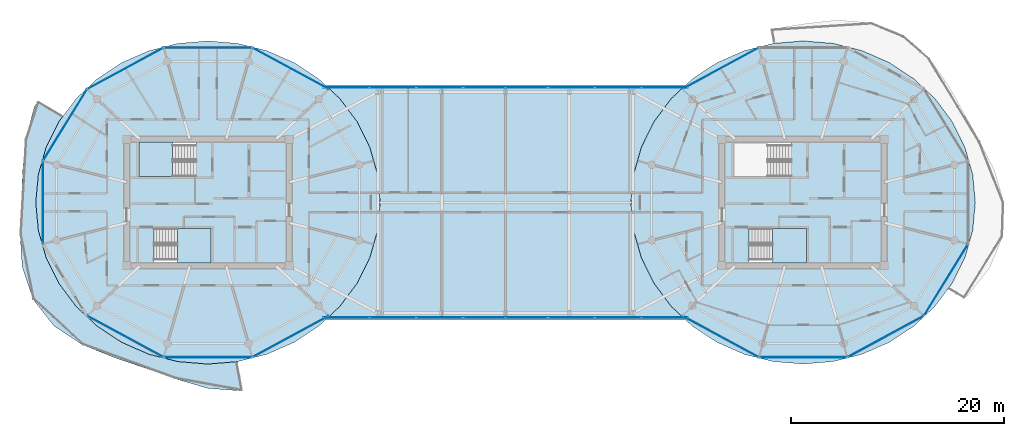
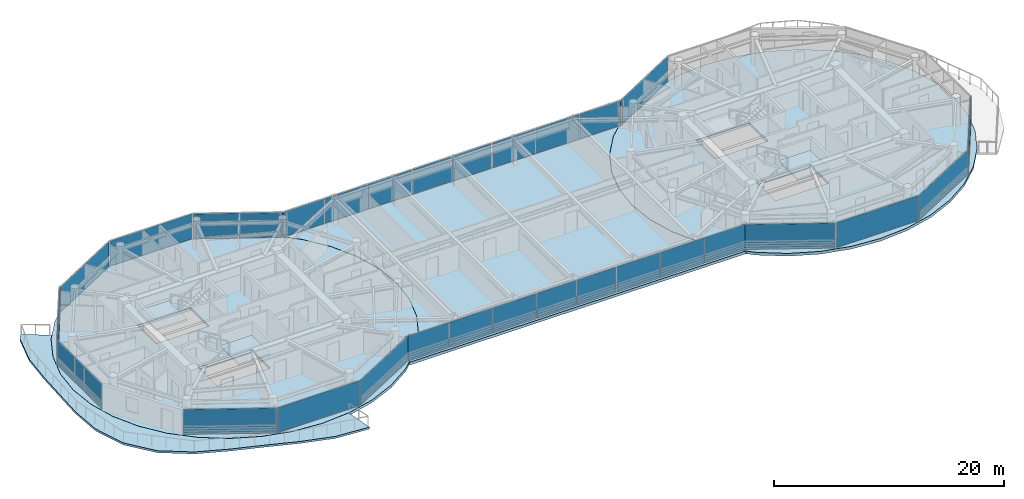
# One storey, part 11 of 23: 29 plates, 7 slabs, 22 elements without a shape of their own.
"""IFC4 building model written with IfcOpenShell, lengths in metres."""

import ifcopenshell
import ifcopenshell.guid

model = None  # the IFC model being written
_history = None  # IfcOwnerHistory: only IFC2X3 demands one
_inside = {}  # id of a spatial element -> (the spatial element, [elements in it])
_under = {}  # id of a project, library or spatial element -> (it, [spatial elements below it])
_declared = {}  # id of a project -> (the project, [libraries it declares])
_typed = {}  # id of a type object -> (the type object, [elements of that type])
_made_of = {}  # id of a material, layer set ... -> (it, [elements and type objects made of it])


def new_model(schema):
    """Start an empty IFC model of exactly this schema.

    Asked for "IFC4X3", IfcOpenShell would pick the latest addendum, in which some entities
    have other attributes; the version numbers below select the first issue.
    IFC2X3 requires an IfcOwnerHistory on every rooted entity: one is made here for all.
    """
    global model, _history
    if schema == "IFC4X3":
        model = ifcopenshell.file(schema_version=(4, 3, 0, 0))
    else:
        model = ifcopenshell.file(schema=schema)
    _inside.clear()
    _under.clear()
    _declared.clear()
    _typed.clear()
    _made_of.clear()
    _history = None
    if model.schema == "IFC2X3":
        org = make("IfcOrganization", Name="unknown")
        user = make(
            "IfcPersonAndOrganization",
            ThePerson=make("IfcPerson", FamilyName="unknown"),
            TheOrganization=org,
        )
        app = make(
            "IfcApplication",
            ApplicationDeveloper=org,
            Version="unknown",
            ApplicationFullName="unknown",
            ApplicationIdentifier="unknown",
        )
        _history = make(
            "IfcOwnerHistory",
            OwningUser=user,
            OwningApplication=app,
            ChangeAction="ADDED",
            CreationDate=0,
        )
    return model


def make(cls, **values):
    """One entity of the class cls with the attributes given. An attribute that is None is left unset."""
    return model.create_entity(
        cls, **{name: value for name, value in values.items() if value is not None}
    )


def rooted(cls, **values):
    """An entity with a GlobalId (a new one), such as an element, a storey or a relation."""
    return make(cls, GlobalId=ifcopenshell.guid.new(), OwnerHistory=_history, **values)


def si_unit(unit_type, name, prefix=None):
    """IfcSIUnit, for example si_unit("LENGTHUNIT", "METRE", prefix="MILLI")."""
    return make("IfcSIUnit", UnitType=unit_type, Prefix=prefix, Name=name)


def assignment(units):
    """IfcUnitAssignment: the units of a project."""
    return None if units is None else make("IfcUnitAssignment", Units=units)


def point(xyz):
    """IfcCartesianPoint."""
    return None if xyz is None else make("IfcCartesianPoint", Coordinates=xyz)


def direction(xyz):
    """IfcDirection."""
    return None if xyz is None else make("IfcDirection", DirectionRatios=xyz)


def frame(location, z_axis=None, x_axis=None):
    """IfcAxis2Placement3D, a coordinate frame: its origin and axes. An axis left out is left unset."""
    return make(
        "IfcAxis2Placement3D",
        Location=point(location),
        Axis=direction(z_axis),
        RefDirection=direction(x_axis),
    )


def frame_2d(location, x_axis=None):
    """IfcAxis2Placement2D, a coordinate frame in the plane: its origin and x axis."""
    return make(
        "IfcAxis2Placement2D", Location=point(location), RefDirection=direction(x_axis)
    )


def origin():
    """The frame at (0, 0, 0) with its axes left unset."""
    return frame((0.0, 0.0, 0.0))


def origin_2d():
    """The frame at (0, 0) in the plane with its x axis left unset."""
    return frame_2d((0.0, 0.0))


def place(relative_to, where):
    """IfcLocalPlacement: puts the frame where relative to a parent placement (None: the world)."""
    return make(
        "IfcLocalPlacement", PlacementRelTo=relative_to, RelativePlacement=where
    )


def context(
    kind, dimensions, precision=None, world=None, true_north=None, identifier=None
):
    """IfcGeometricRepresentationContext, for example the 3D "Model" context."""
    return make(
        "IfcGeometricRepresentationContext",
        ContextIdentifier=identifier,
        ContextType=kind,
        CoordinateSpaceDimension=dimensions,
        Precision=precision,
        WorldCoordinateSystem=world,
        TrueNorth=true_north,
    )


def subcontext(parent, identifier, kind, view, scale=None):
    """IfcGeometricRepresentationSubContext, for example "Body" below "Model"."""
    return make(
        "IfcGeometricRepresentationSubContext",
        ContextIdentifier=identifier,
        ContextType=kind,
        ParentContext=parent,
        TargetScale=scale,
        TargetView=view,
    )


def project(units=None, contexts=None):
    """IfcProject with its units and contexts."""
    return rooted(
        "IfcProject",
        Name="project",
        RepresentationContexts=contexts,
        UnitsInContext=assignment(units),
    )


def spatial(cls, under=None, at=None, **own):
    """A site, building, storey or space (cls), placed at a placement, below another one or the project."""
    s = rooted(cls, ObjectPlacement=at, **own)
    if under is not None:
        _under.setdefault(under.id(), (under, []))[1].append(s)
    return s


def polyline(points):
    """IfcPolyline through the points."""
    return make("IfcPolyline", Points=[point(p) for p in points])


def profile(cls, at=None, kind="AREA", **sizes):
    """A parametric profile (cls). Its sizes go by their IFC names, for example OverallWidth=200.0."""
    return make(cls, ProfileType=kind, Position=at, **sizes)


def rectangle(**sizes):
    """IfcRectangleProfileDef."""
    return profile("IfcRectangleProfileDef", **sizes)


def outline(outer, holes=None, kind="AREA"):
    """IfcArbitraryClosedProfileDef: a profile drawn as a closed curve; with holes, ...WithVoids."""
    if holes is None:
        return make("IfcArbitraryClosedProfileDef", ProfileType=kind, OuterCurve=outer)
    return make(
        "IfcArbitraryProfileDefWithVoids",
        ProfileType=kind,
        OuterCurve=outer,
        InnerCurves=holes,
    )


def extrude(swept, where, along, depth):
    """IfcExtrudedAreaSolid: the profile swept, set in the frame where, extruded along a direction by depth."""
    return make(
        "IfcExtrudedAreaSolid",
        SweptArea=swept,
        Position=where,
        ExtrudedDirection=direction(along),
        Depth=depth,
    )


def shape(context_of_items, identifier, shape_type, items):
    """IfcShapeRepresentation: the items that make up one representation, for example the "Body"."""
    return make(
        "IfcShapeRepresentation",
        ContextOfItems=context_of_items,
        RepresentationIdentifier=identifier,
        RepresentationType=shape_type,
        Items=items,
    )


def source(mapping_origin, context_of_items, identifier, shape_type, items):
    """IfcRepresentationMap: a shape defined once, which mapped items show again and again."""
    return make(
        "IfcRepresentationMap",
        MappingOrigin=mapping_origin,
        MappedRepresentation=shape(context_of_items, identifier, shape_type, items),
    )


def transform(
    local_origin,
    x_axis=None,
    y_axis=None,
    z_axis=None,
    scale=None,
    scale2=None,
    scale3=None,
    uniform=True,
):
    """IfcCartesianTransformationOperator3D, or its non-uniform kind. x_axis, y_axis, z_axis: its Axis1, 2, 3."""
    if uniform:
        return make(
            "IfcCartesianTransformationOperator3D",
            Axis1=direction(x_axis),
            Axis2=direction(y_axis),
            LocalOrigin=point(local_origin),
            Scale=scale,
            Axis3=direction(z_axis),
        )
    return make(
        "IfcCartesianTransformationOperator3DnonUniform",
        Axis1=direction(x_axis),
        Axis2=direction(y_axis),
        LocalOrigin=point(local_origin),
        Scale=scale,
        Axis3=direction(z_axis),
        Scale2=scale2,
        Scale3=scale3,
    )


def mapped(mapping_source, mapping_target):
    """IfcMappedItem: shows the shape of a source again, moved by a transform."""
    return make(
        "IfcMappedItem", MappingSource=mapping_source, MappingTarget=mapping_target
    )


def material(Name=None, Category=None):
    """IfcMaterial."""
    return make("IfcMaterial", Name=Name, Category=Category)


def layer(
    of_material, thickness, ventilated=None, Name=None, Category=None, Priority=None
):
    """IfcMaterialLayer: one layer of a wall or slab, of a material (None: an air gap)."""
    return make(
        "IfcMaterialLayer",
        Material=of_material,
        LayerThickness=thickness,
        IsVentilated=ventilated,
        Name=Name,
        Category=Category,
        Priority=Priority,
    )


def layer_set(layers, Name=None):
    """IfcMaterialLayerSet."""
    return make("IfcMaterialLayerSet", MaterialLayers=layers, LayerSetName=Name)


def made_of(thing, what):
    """Note that an element or type object is made of a material, layer set ...; save() writes the relation."""
    if what is not None:
        _made_of.setdefault(what.id(), (what, []))[1].append(thing)
    return thing


def type_object(cls, material=None, **own):
    """A type object (cls), such as IfcWallType, which elements share."""
    return made_of(rooted(cls, **own), material)


def type_shapes(of_type, sources):
    """Give a type object the sources (RepresentationMaps) that its elements show as mapped items."""
    of_type.RepresentationMaps = sources


def element(
    cls,
    number,
    at=None,
    inside=None,
    cuts=None,
    type_object=None,
    material=None,
    context=None,
    identifier="Body",
    shape_type=None,
    held_by="IfcProductDefinitionShape",
    body=None,
    shapes=None,
    **own,
):
    """One element of the class cls, such as IfcWall. Its Tag is "e" and its number.

    at: its placement. inside: the storey or other place that contains it. cuts: it is an
    opening in that element (IfcRelVoidsElement). A single representation is given by context,
    identifier, shape_type and body (its items); several are given by shapes. held_by: the class
    of the entity that holds the representations. save() writes the other relations.
    """
    e = rooted(cls, Tag="e%d" % number, ObjectPlacement=at, **own)
    if body is not None:
        shapes = [shape(context, identifier, shape_type, body)]
    if shapes is not None:
        e.Representation = make(held_by, Representations=shapes)
    if inside is not None:
        _inside.setdefault(inside.id(), (inside, []))[1].append(e)
    if cuts is not None:
        rooted(
            "IfcRelVoidsElement", RelatingBuildingElement=cuts, RelatedOpeningElement=e
        )
    if type_object is not None:
        _typed.setdefault(type_object.id(), (type_object, []))[1].append(e)
    return made_of(e, material)


def aggregate(whole, parts):
    """IfcRelAggregates: a whole, such as a stair, and the parts it consists of."""
    return rooted("IfcRelAggregates", RelatingObject=whole, RelatedObjects=parts)


def save(model, path):
    """Write the relations noted so far, then the file.

    IfcRelAggregates (storeys below a building ...), IfcRelContainedInSpatialStructure (elements
    in a storey), IfcRelDefinesByType, IfcRelAssociatesMaterial and IfcRelDeclares: one each for
    every whole, place, type object, material and project.
    """
    for whole, parts in _under.values():
        aggregate(whole, parts)
    for where, things in _inside.values():
        rooted(
            "IfcRelContainedInSpatialStructure",
            RelatedElements=things,
            RelatingStructure=where,
        )
    for kind, things in _typed.values():
        rooted("IfcRelDefinesByType", RelatedObjects=things, RelatingType=kind)
    for what, things in _made_of.values():
        rooted("IfcRelAssociatesMaterial", RelatedObjects=things, RelatingMaterial=what)
    for by, libraries in _declared.values():
        rooted("IfcRelDeclares", RelatingContext=by, RelatedDefinitions=libraries)
    model.write(path)


model = new_model("IFC4")

# Units and contexts
model_context = context("Model", 3, precision=1e-05, world=origin(), true_north=direction((0.0, 1.0)))
body_context = subcontext(model_context, "Body", "Model", "MODEL_VIEW")
ifc_project = project(units=[si_unit("LENGTHUNIT", "METRE"), si_unit("AREAUNIT", "SQUARE_METRE"), si_unit("VOLUMEUNIT", "CUBIC_METRE"), si_unit("PLANEANGLEUNIT", "RADIAN"), si_unit("MASSUNIT", "GRAM", prefix="KILO")], contexts=[model_context])

# Site, building, storey
site_placement = place(None, origin())
site = spatial("IfcSite", under=ifc_project, at=site_placement, CompositionType="ELEMENT")
building_placement = place(site_placement, origin())
building = spatial("IfcBuilding", under=site, at=building_placement, Name="Norrkilde Senior Care Towers", CompositionType="ELEMENT")
storey_placement = place(building_placement, frame((0.0, 0.0, 216.949951171875)))
storey = spatial("IfcBuildingStorey", under=building, at=storey_placement, Name="L67", CompositionType="ELEMENT", Elevation=216.949951171875)

# Slabs
ifc_material_1 = material(Name="Concrete C50/60", Category="concrete")
ifc_layer_1 = layer(ifc_material_1, 0.2900390625)
ifc_layer_set_1 = layer_set([ifc_layer_1], Name="Concrete C50/60")
slab_type_1 = type_object("IfcSlabType", Name="Bridge Floor Slab 290", PredefinedType="FLOOR", material=ifc_layer_set_1)
slab_1_placement = place(storey_placement, frame((0.0, 0.0, -0.2900390625)))
element("IfcSlab", 1, at=slab_1_placement, inside=storey, type_object=slab_type_1, Name="L67 Drum W Structural Floor Slab", PredefinedType="FLOOR", context=body_context, shape_type="SweptSolid", body=[
    extrude(outline(polyline([(-12.777099609375, -5.19873046875), (-13.970458984375, -7.60009765625), (-15.590087890625, -9.770263671875), (-17.5869140625, -11.643798828125), (-19.89990234375, -13.16357421875), (-22.459228515625, -14.283447265625), (-25.18701171875, -14.968994140625), (-28.0, -15.199951171875), (-30.81298828125, -14.968994140625), (-33.540771484375, -14.283447265625), (-36.10009765625, -13.16357421875), (-38.4130859375, -11.643798828125), (-40.409912109375, -9.770263671875), (-42.029541015625, -7.60009765625), (-43.222900390625, -5.19873046875), (-43.953857421875, -2.639404296875), (-44.199951171875, 0.0), (-43.953857421875, 2.639404296875), (-43.222900390625, 5.19873046875), (-42.029541015625, 7.60009765625), (-40.409912109375, 9.770263671875), (-38.4130859375, 11.643798828125), (-36.10009765625, 13.16357421875), (-33.540771484375, 14.283447265625), (-30.81298828125, 14.968994140625), (-28.0, 15.199951171875), (-25.18701171875, 14.968994140625), (-22.459228515625, 14.283447265625), (-19.89990234375, 13.16357421875), (-17.5869140625, 11.643798828125), (-15.590087890625, 9.770263671875), (-13.970458984375, 7.60009765625), (-12.777099609375, 5.19873046875), (-12.046142578125, 2.639404296875), (-11.800048828125, 0.0), (-12.046142578125, -2.639404296875), (-12.777099609375, -5.19873046875)]), holes=[polyline([(-34.48193359375, 2.468017578125), (-29.117919921875, 2.468017578125), (-29.117919921875, 5.68994140625), (-34.48193359375, 5.68994140625), (-34.48193359375, 2.468017578125)]), polyline([(-27.718017578125, -5.68994140625), (-27.718017578125, -2.468017578125), (-33.08203125, -2.468017578125), (-33.08203125, -5.68994140625), (-27.718017578125, -5.68994140625)])]), origin(), (0.0, 0.0, 1.0), 0.2900390625),
])
slab_2_placement = place(storey_placement, frame((0.0, 0.0, -0.2900390625)))
element("IfcSlab", 2, at=slab_2_placement, inside=storey, type_object=slab_type_1, Name="L67 Drum E Structural Floor Slab", PredefinedType="FLOOR", context=body_context, shape_type="SweptSolid", body=[
    extrude(outline(polyline([(43.222900390625, -5.19873046875), (42.029541015625, -7.60009765625), (40.409912109375, -9.770263671875), (38.4130859375, -11.643798828125), (36.10009765625, -13.16357421875), (33.540771484375, -14.283447265625), (30.81298828125, -14.968994140625), (28.0, -15.199951171875), (25.18701171875, -14.968994140625), (22.459228515625, -14.283447265625), (19.89990234375, -13.16357421875), (17.5869140625, -11.643798828125), (15.590087890625, -9.770263671875), (13.970458984375, -7.60009765625), (12.777099609375, -5.19873046875), (12.046142578125, -2.639404296875), (11.800048828125, 0.0), (12.046142578125, 2.639404296875), (12.777099609375, 5.19873046875), (13.970458984375, 7.60009765625), (15.590087890625, 9.770263671875), (17.5869140625, 11.643798828125), (19.89990234375, 13.16357421875), (22.459228515625, 14.283447265625), (25.18701171875, 14.968994140625), (28.0, 15.199951171875), (30.81298828125, 14.968994140625), (33.540771484375, 14.283447265625), (36.10009765625, 13.16357421875), (38.4130859375, 11.643798828125), (40.409912109375, 9.770263671875), (42.029541015625, 7.60009765625), (43.222900390625, 5.19873046875), (43.953857421875, 2.639404296875), (44.199951171875, 0.0), (43.953857421875, -2.639404296875), (43.222900390625, -5.19873046875)]), holes=[polyline([(21.51806640625, 2.468017578125), (26.882080078125, 2.468017578125), (26.882080078125, 5.68994140625), (21.51806640625, 5.68994140625), (21.51806640625, 2.468017578125)]), polyline([(28.281982421875, -5.68994140625), (28.281982421875, -2.468017578125), (22.91796875, -2.468017578125), (22.91796875, -5.68994140625), (28.281982421875, -5.68994140625)])]), origin(), (0.0, 0.0, 1.0), 0.2900390625),
])
slab_3_placement = place(storey_placement, frame((0.0, 0.0, -0.2900390625)))
element("IfcSlab", 3, at=slab_3_placement, inside=storey, type_object=slab_type_1, Name="L67 Sky-Gate Bridge Floor Slab", PredefinedType="FLOOR", context=body_context, shape_type="SweptSolid", body=[
    extrude(outline(polyline([(16.893310546875, 11.0), (15.586669921875, 9.77392578125), (15.58642578125, 9.773681640625), (15.586181640625, 9.7734375), (13.96630859375, 7.60302734375), (13.966064453125, 7.6025390625), (13.9658203125, 7.602294921875), (12.7724609375, 5.200927734375), (12.772216796875, 5.200439453125), (12.772216796875, 5.2001953125), (12.041259765625, 2.640869140625), (12.041259765625, 2.640380859375), (12.041015625, 2.639892578125), (11.794921875, 0.00048828125), (11.794921875, 0.0), (11.794921875, -0.00048828125), (12.041015625, -2.639892578125), (12.041259765625, -2.640380859375), (12.041259765625, -2.640869140625), (12.772216796875, -5.2001953125), (12.772216796875, -5.200439453125), (12.7724609375, -5.200927734375), (13.9658203125, -7.602294921875), (13.966064453125, -7.6025390625), (13.96630859375, -7.60302734375), (15.586181640625, -9.7734375), (15.58642578125, -9.773681640625), (15.586669921875, -9.77392578125), (16.893310546875, -11.0), (-16.893310546875, -11.0), (-15.586669921875, -9.77392578125), (-15.58642578125, -9.773681640625), (-15.586181640625, -9.7734375), (-13.96630859375, -7.60302734375), (-13.966064453125, -7.6025390625), (-13.9658203125, -7.602294921875), (-12.7724609375, -5.200927734375), (-12.772216796875, -5.200439453125), (-12.772216796875, -5.2001953125), (-12.041259765625, -2.640869140625), (-12.041259765625, -2.640380859375), (-12.041015625, -2.639892578125), (-11.794921875, -0.00048828125), (-11.794921875, 0.0), (-11.794921875, 0.00048828125), (-12.041015625, 2.639892578125), (-12.041259765625, 2.640380859375), (-12.041259765625, 2.640869140625), (-12.772216796875, 5.2001953125), (-12.772216796875, 5.200439453125), (-12.7724609375, 5.200927734375), (-13.9658203125, 7.602294921875), (-13.966064453125, 7.6025390625), (-13.96630859375, 7.60302734375), (-15.586181640625, 9.7734375), (-15.58642578125, 9.773681640625), (-15.586669921875, 9.77392578125), (-16.893310546875, 11.0), (16.893310546875, 11.0)])), origin(), (0.0, 0.0, 1.0), 0.2900390625),
])
ifc_layer_2 = layer(ifc_material_1, 0.215087890625)
ifc_layer_set_2 = layer_set([ifc_layer_2], Name="Concrete C50/60")
slab_type_2 = type_object("IfcSlabType", Name="Sinusoidal Balcony Ribbon Slab 215", PredefinedType="FLOOR", material=ifc_layer_set_2)
slab_4_placement = place(storey_placement, frame((0.0, 0.0, -0.21484375)))
element("IfcSlab", 4, at=slab_4_placement, inside=storey, type_object=slab_type_2, Name="L67 Drum W Swirling Senior Balcony 1", PredefinedType="FLOOR", context=body_context, shape_type="SweptSolid", body=[
    extrude(outline(polyline([(-31.08203125, -16.5947265625), (-33.97705078125, -15.561279296875), (-36.865234375, -14.576171875), (-39.79443359375, -13.398193359375), (-42.48388671875, -11.625), (-44.46728515625, -9.099853515625), (-45.474853515625, -6.072265625), (-45.684814453125, -2.96484375), (-45.56689453125, 0.0), (-45.442138671875, 2.919189453125), (-45.178955078125, 5.95751953125), (-44.329833984375, 9.015380859375), (-43.98583984375, 9.5390625), (-41.635498046875, 8.136474609375), (-42.033935546875, 7.6025390625), (-43.227783203125, 5.200439453125), (-43.958740234375, 2.640380859375), (-44.205078125, 0.0), (-43.958740234375, -2.640380859375), (-43.227783203125, -5.200439453125), (-42.033935546875, -7.6025390625), (-40.413818359375, -9.773681640625), (-38.416259765625, -11.647705078125), (-36.1025390625, -13.16796875), (-33.54248046875, -14.2880859375), (-30.81396484375, -14.97412109375), (-28.0, -15.205078125), (-25.234375, -14.97802734375), (-24.724365234375, -17.73974609375), (-24.728271484375, -17.74072265625), (-28.0, -17.486083984375), (-31.08203125, -16.5947265625)])), origin(), (0.0, 0.0, 1.0), 0.21484375),
])

# Stair, slab
ifc_material_2 = material(Name="Concrete C45/55", Category="concrete")
stair_type = type_object("IfcStairType", Name="Core Protected Dogleg Stair Typical 3050", PredefinedType="HALF_TURN_STAIR", material=ifc_material_2)
stair_1_placement = place(storey_placement, origin())
stair_1 = element("IfcStair", 5, at=stair_1_placement, inside=storey, type_object=stair_type, Name="L67 Protected Core Stair W1", PredefinedType="HALF_TURN_STAIR")
ifc_layer_3 = layer(ifc_material_2, 0.199951171875)
ifc_layer_set_3 = layer_set([ifc_layer_3], Name="Concrete C45/55")
slab_type_3 = type_object("IfcSlabType", Name="Stair Landing Slab 200", PredefinedType="LANDING", material=ifc_layer_set_3)
slab_5_placement = place(storey_placement, frame((0.0, 0.0, 1.324951171875)))
slab_5 = element("IfcSlab", 6, at=slab_5_placement, type_object=slab_type_3, Name="ST-W1 landing 1", PredefinedType="LANDING", context=body_context, shape_type="SweptSolid", body=[
    extrude(outline(polyline([(-31.340087890625, 5.68994140625), (-34.5, 5.68994140625), (-34.5, 2.449951171875), (-31.340087890625, 2.449951171875), (-31.340087890625, 5.68994140625)])), origin(), (0.0, 0.0, 1.0), 0.2001953125),
])
aggregate(stair_1, [slab_5])

stair_2_placement = place(storey_placement, origin())
stair_2 = element("IfcStair", 7, at=stair_2_placement, inside=storey, type_object=stair_type, Name="L67 Protected Core Stair W2", PredefinedType="HALF_TURN_STAIR")
slab_6_placement = place(storey_placement, frame((0.0, 0.0, 1.324951171875)))
slab_6 = element("IfcSlab", 8, at=slab_6_placement, type_object=slab_type_3, Name="ST-W2 landing 1", PredefinedType="LANDING", context=body_context, shape_type="SweptSolid", body=[
    extrude(outline(polyline([(-30.860107421875, -5.68994140625), (-27.699951171875, -5.68994140625), (-27.699951171875, -2.449951171875), (-30.860107421875, -2.449951171875), (-30.860107421875, -5.68994140625)])), origin(), (0.0, 0.0, 1.0), 0.2001953125),
])
aggregate(stair_2, [slab_6])

stair_3_placement = place(storey_placement, origin())
stair_3 = element("IfcStair", 9, at=stair_3_placement, inside=storey, type_object=stair_type, Name="L67 Protected Core Stair E2", PredefinedType="HALF_TURN_STAIR")
slab_7_placement = place(storey_placement, frame((0.0, 0.0, 1.324951171875)))
slab_7 = element("IfcSlab", 10, at=slab_7_placement, type_object=slab_type_3, Name="ST-E2 landing 1", PredefinedType="LANDING", context=body_context, shape_type="SweptSolid", body=[
    extrude(outline(polyline([(25.139892578125, -5.68994140625), (28.300048828125, -5.68994140625), (28.300048828125, -2.449951171875), (25.139892578125, -2.449951171875), (25.139892578125, -5.68994140625)])), origin(), (0.0, 0.0, 1.0), 0.2001953125),
])
aggregate(stair_3, [slab_7])

# Curtain wall, plate
ifc_material_3 = material(Name="Triple Low-E Insulated Glazing", Category="glass")
ifc_layer_4 = layer(ifc_material_3, 0.18505859375)
ifc_layer_set_4 = layer_set([ifc_layer_4], Name="Triple Low-E Insulated Glazing")
curtain_wall_type_1 = type_object("IfcCurtainWallType", Name="CW6 Zone 4 Crown Pavilion Curtain Wall", PredefinedType="NOTDEFINED", material=ifc_layer_set_4)
curtain_wall_1_placement = place(storey_placement, origin())
curtain_wall_1 = element("IfcCurtainWall", 11, at=curtain_wall_1_placement, inside=storey, type_object=curtain_wall_type_1, Name="L67 Drum W Curtain Wall 04", PredefinedType="NOTDEFINED")
ifc_layer_5 = layer(ifc_material_3, 0.035888671875)
ifc_layer_set_5 = layer_set([ifc_layer_5], Name="Triple Low-E Insulated Glazing")
plate_type = type_object("IfcPlateType", Name="Triple Low-E Vision Curtain Panel 36", PredefinedType="CURTAIN_PANEL", material=ifc_layer_set_5)
shared_shape_1 = source(origin(), body_context, "Body", "SweptSolid", [
    extrude(rectangle(XDim=7.80859375, YDim=0.035888671875, at=origin_2d()), origin(), (0.0, 0.0, 1.0), 2.639892578125),
])
plate_1_placement = place(storey_placement, frame((-41.451171875, 7.282958984375, 0.06005859375), z_axis=(0.0, 0.0, 1.0), x_axis=(0.524252726748, 0.851562727283, 0.0)))
plate_1 = element("IfcPlate", 12, at=plate_1_placement, type_object=plate_type, Name="CW-6 panel 1.1", PredefinedType="CURTAIN_PANEL", context=body_context, shape_type="MappedRepresentation", body=[
    mapped(shared_shape_1, transform((0.0, 0.0, 0.0), x_axis=(1.0, 0.0, 0.0), y_axis=(0.0, 1.0, 0.0), z_axis=(0.0, 0.0, 1.0), scale=1.0)),
])
aggregate(curtain_wall_1, [plate_1])

curtain_wall_2_placement = place(storey_placement, origin())
curtain_wall_2 = element("IfcCurtainWall", 13, at=curtain_wall_2_placement, inside=storey, type_object=curtain_wall_type_1, Name="L67 Drum E Curtain Wall 10", PredefinedType="NOTDEFINED")
plate_2_placement = place(storey_placement, frame((41.451171875, -7.282958984375, 0.06005859375), z_axis=(0.0, 0.0, 1.0), x_axis=(-0.524252726748, -0.851562727283, 0.0)))
plate_2 = element("IfcPlate", 14, at=plate_2_placement, type_object=plate_type, Name="CW-6 panel 1.1", PredefinedType="CURTAIN_PANEL", context=body_context, shape_type="MappedRepresentation", body=[
    mapped(shared_shape_1, transform((0.0, 0.0, 0.0), x_axis=(1.0, 0.0, 0.0), y_axis=(0.0, 1.0, 0.0), z_axis=(0.0, 0.0, 1.0), scale=1.0)),
])
aggregate(curtain_wall_2, [plate_2])

curtain_wall_3_placement = place(storey_placement, origin())
curtain_wall_3 = element("IfcCurtainWall", 15, at=curtain_wall_3_placement, inside=storey, type_object=curtain_wall_type_1, Name="L67 Drum W Curtain Wall 01", PredefinedType="NOTDEFINED")
shared_shape_2 = source(origin(), body_context, "Body", "SweptSolid", [
    extrude(rectangle(XDim=8.0673828125, YDim=0.035888671875, at=origin_2d()), origin(), (0.0, 0.0, 1.0), 2.639892578125),
])
plate_3_placement = place(storey_placement, frame((-20.23388671875, 12.61474609375, 0.06005859375), z_axis=(0.0, 0.0, 1.0), x_axis=(0.879373455772, -0.476132676136, 0.0)))
plate_3 = element("IfcPlate", 16, at=plate_3_placement, type_object=plate_type, Name="CW-6 panel 1.1", PredefinedType="CURTAIN_PANEL", context=body_context, shape_type="MappedRepresentation", body=[
    mapped(shared_shape_2, transform((0.0, 0.0, 0.0), x_axis=(1.0, 0.0, 0.0), y_axis=(0.0, 1.0, 0.0), z_axis=(0.0, 0.0, 1.0), scale=1.0)),
])
aggregate(curtain_wall_3, [plate_3])

curtain_wall_4_placement = place(storey_placement, origin())
curtain_wall_4 = element("IfcCurtainWall", 17, at=curtain_wall_4_placement, inside=storey, type_object=curtain_wall_type_1, Name="L67 Drum W Curtain Wall 03", PredefinedType="NOTDEFINED")
plate_4_placement = place(storey_placement, frame((-35.76611328125, 12.61474609375, 0.06005859375), z_axis=(0.0, 0.0, 1.0), x_axis=(0.879373455772, 0.476132676136, 0.0)))
plate_4 = element("IfcPlate", 18, at=plate_4_placement, type_object=plate_type, Name="CW-6 panel 1.1", PredefinedType="CURTAIN_PANEL", context=body_context, shape_type="MappedRepresentation", body=[
    mapped(shared_shape_2, transform((0.0, 0.0, 0.0), x_axis=(1.0, 0.0, 0.0), y_axis=(0.0, 1.0, 0.0), z_axis=(0.0, 0.0, 1.0), scale=1.0)),
])
aggregate(curtain_wall_4, [plate_4])

curtain_wall_5_placement = place(storey_placement, origin())
curtain_wall_5 = element("IfcCurtainWall", 19, at=curtain_wall_5_placement, inside=storey, type_object=curtain_wall_type_1, Name="L67 Drum W Curtain Wall 07", PredefinedType="NOTDEFINED")
plate_5_placement = place(storey_placement, frame((-35.76611328125, -12.61474609375, 0.06005859375), z_axis=(0.0, 0.0, 1.0), x_axis=(-0.879373455772, 0.476132676136, 0.0)))
plate_5 = element("IfcPlate", 20, at=plate_5_placement, type_object=plate_type, Name="CW-6 panel 1.1", PredefinedType="CURTAIN_PANEL", context=body_context, shape_type="MappedRepresentation", body=[
    mapped(shared_shape_2, transform((0.0, 0.0, 0.0), x_axis=(1.0, 0.0, 0.0), y_axis=(0.0, 1.0, 0.0), z_axis=(0.0, 0.0, 1.0), scale=1.0)),
])
aggregate(curtain_wall_5, [plate_5])

curtain_wall_6_placement = place(storey_placement, origin())
curtain_wall_6 = element("IfcCurtainWall", 21, at=curtain_wall_6_placement, inside=storey, type_object=curtain_wall_type_1, Name="L67 Drum W Curtain Wall 09", PredefinedType="NOTDEFINED")
plate_6_placement = place(storey_placement, frame((-20.23388671875, -12.61474609375, 0.06005859375), z_axis=(0.0, 0.0, 1.0), x_axis=(-0.879373455772, -0.476132676136, 0.0)))
plate_6 = element("IfcPlate", 22, at=plate_6_placement, type_object=plate_type, Name="CW-6 panel 1.1", PredefinedType="CURTAIN_PANEL", context=body_context, shape_type="MappedRepresentation", body=[
    mapped(shared_shape_2, transform((0.0, 0.0, 0.0), x_axis=(1.0, 0.0, 0.0), y_axis=(0.0, 1.0, 0.0), z_axis=(0.0, 0.0, 1.0), scale=1.0)),
])
aggregate(curtain_wall_6, [plate_6])

curtain_wall_7_placement = place(storey_placement, origin())
curtain_wall_7 = element("IfcCurtainWall", 23, at=curtain_wall_7_placement, inside=storey, type_object=curtain_wall_type_1, Name="L67 Drum E Curtain Wall 03", PredefinedType="NOTDEFINED")
plate_7_placement = place(storey_placement, frame((20.23388671875, 12.61474609375, 0.06005859375), z_axis=(0.0, 0.0, 1.0), x_axis=(0.879373455772, 0.476132676136, 0.0)))
plate_7 = element("IfcPlate", 24, at=plate_7_placement, type_object=plate_type, Name="CW-6 panel 1.1", PredefinedType="CURTAIN_PANEL", context=body_context, shape_type="MappedRepresentation", body=[
    mapped(shared_shape_2, transform((0.0, 0.0, 0.0), x_axis=(1.0, 0.0, 0.0), y_axis=(0.0, 1.0, 0.0), z_axis=(0.0, 0.0, 1.0), scale=1.0)),
])
aggregate(curtain_wall_7, [plate_7])

curtain_wall_8_placement = place(storey_placement, origin())
curtain_wall_8 = element("IfcCurtainWall", 25, at=curtain_wall_8_placement, inside=storey, type_object=curtain_wall_type_1, Name="L67 Drum E Curtain Wall 07", PredefinedType="NOTDEFINED")
plate_8_placement = place(storey_placement, frame((20.23388671875, -12.61474609375, 0.06005859375), z_axis=(0.0, 0.0, 1.0), x_axis=(-0.879373455772, 0.476132676136, 0.0)))
plate_8 = element("IfcPlate", 26, at=plate_8_placement, type_object=plate_type, Name="CW-6 panel 1.1", PredefinedType="CURTAIN_PANEL", context=body_context, shape_type="MappedRepresentation", body=[
    mapped(shared_shape_2, transform((0.0, 0.0, 0.0), x_axis=(1.0, 0.0, 0.0), y_axis=(0.0, 1.0, 0.0), z_axis=(0.0, 0.0, 1.0), scale=1.0)),
])
aggregate(curtain_wall_8, [plate_8])

curtain_wall_9_placement = place(storey_placement, origin())
curtain_wall_9 = element("IfcCurtainWall", 27, at=curtain_wall_9_placement, inside=storey, type_object=curtain_wall_type_1, Name="L67 Drum E Curtain Wall 09", PredefinedType="NOTDEFINED")
plate_9_placement = place(storey_placement, frame((35.76611328125, -12.61474609375, 0.06005859375), z_axis=(0.0, 0.0, 1.0), x_axis=(-0.879373455772, -0.476132676136, 0.0)))
plate_9 = element("IfcPlate", 28, at=plate_9_placement, type_object=plate_type, Name="CW-6 panel 1.1", PredefinedType="CURTAIN_PANEL", context=body_context, shape_type="MappedRepresentation", body=[
    mapped(shared_shape_2, transform((0.0, 0.0, 0.0), x_axis=(1.0, 0.0, 0.0), y_axis=(0.0, 1.0, 0.0), z_axis=(0.0, 0.0, 1.0), scale=1.0)),
])
aggregate(curtain_wall_9, [plate_9])

curtain_wall_10_placement = place(storey_placement, origin())
curtain_wall_10 = element("IfcCurtainWall", 29, at=curtain_wall_10_placement, inside=storey, type_object=curtain_wall_type_1, Name="L67 Drum W Curtain Wall 02", PredefinedType="NOTDEFINED")
shared_shape_3 = source(origin(), body_context, "Body", "SweptSolid", [
    extrude(rectangle(XDim=8.193603515625, YDim=0.035888671875, at=origin_2d()), origin(), (0.0, 0.0, 1.0), 2.639892578125),
])
plate_10_placement = place(storey_placement, frame((-28.0, 14.566162109375, 0.06005859375), z_axis=(0.0, 0.0, 1.0), x_axis=(1.0, 0.0, 0.0)))
plate_10 = element("IfcPlate", 30, at=plate_10_placement, type_object=plate_type, Name="CW-6 panel 1.1", PredefinedType="CURTAIN_PANEL", context=body_context, shape_type="MappedRepresentation", body=[
    mapped(shared_shape_3, transform((0.0, 0.0, 0.0), x_axis=(1.0, 0.0, 0.0), y_axis=(0.0, 1.0, 0.0), z_axis=(0.0, 0.0, 1.0), scale=1.0)),
])
aggregate(curtain_wall_10, [plate_10])

curtain_wall_11_placement = place(storey_placement, origin())
curtain_wall_11 = element("IfcCurtainWall", 31, at=curtain_wall_11_placement, inside=storey, type_object=curtain_wall_type_1, Name="L67 Drum W Curtain Wall 08", PredefinedType="NOTDEFINED")
plate_11_placement = place(storey_placement, frame((-28.0, -14.566162109375, 0.06005859375), z_axis=(0.0, 0.0, 1.0), x_axis=(-1.0, 0.0, 0.0)))
plate_11 = element("IfcPlate", 32, at=plate_11_placement, type_object=plate_type, Name="CW-6 panel 1.1", PredefinedType="CURTAIN_PANEL", context=body_context, shape_type="MappedRepresentation", body=[
    mapped(shared_shape_3, transform((0.0, 0.0, 0.0), x_axis=(1.0, 0.0, 0.0), y_axis=(0.0, 1.0, 0.0), z_axis=(0.0, 0.0, 1.0), scale=1.0)),
])
aggregate(curtain_wall_11, [plate_11])

curtain_wall_12_placement = place(storey_placement, origin())
curtain_wall_12 = element("IfcCurtainWall", 33, at=curtain_wall_12_placement, inside=storey, type_object=curtain_wall_type_1, Name="L67 Drum E Curtain Wall 08", PredefinedType="NOTDEFINED")
plate_12_placement = place(storey_placement, frame((28.0, -14.566162109375, 0.06005859375), z_axis=(0.0, 0.0, 1.0), x_axis=(-1.0, 0.0, 0.0)))
plate_12 = element("IfcPlate", 34, at=plate_12_placement, type_object=plate_type, Name="CW-6 panel 1.1", PredefinedType="CURTAIN_PANEL", context=body_context, shape_type="MappedRepresentation", body=[
    mapped(shared_shape_3, transform((0.0, 0.0, 0.0), x_axis=(1.0, 0.0, 0.0), y_axis=(0.0, 1.0, 0.0), z_axis=(0.0, 0.0, 1.0), scale=1.0)),
])
aggregate(curtain_wall_12, [plate_12])

curtain_wall_13_placement = place(storey_placement, origin())
curtain_wall_13 = element("IfcCurtainWall", 35, at=curtain_wall_13_placement, inside=storey, type_object=curtain_wall_type_1, Name="L67 Drum W Curtain Wall 05", PredefinedType="NOTDEFINED")
shared_shape_4 = source(origin(), body_context, "Body", "SweptSolid", [
    extrude(rectangle(XDim=7.676025390625, YDim=0.035888671875, at=origin_2d()), origin(), (0.0, 0.0, 1.0), 2.639892578125),
])
plate_13_placement = place(storey_placement, frame((-43.531982421875, 0.0, 0.06005859375), z_axis=(0.0, 0.0, 1.0), x_axis=(0.0, 1.0, 0.0)))
plate_13 = element("IfcPlate", 36, at=plate_13_placement, type_object=plate_type, Name="CW-6 panel 1.1", PredefinedType="CURTAIN_PANEL", context=body_context, shape_type="MappedRepresentation", body=[
    mapped(shared_shape_4, transform((0.0, 0.0, 0.0), x_axis=(1.0, 0.0, 0.0), y_axis=(0.0, 1.0, 0.0), z_axis=(0.0, 0.0, 1.0), scale=1.0)),
])
aggregate(curtain_wall_13, [plate_13])

# Curtain wall, plates
ifc_layer_6 = layer(ifc_material_3, 0.2099609375)
ifc_layer_set_6 = layer_set([ifc_layer_6], Name="Triple Low-E Insulated Glazing")
curtain_wall_type_2 = type_object("IfcCurtainWallType", Name="CW5 Sky-Gate Bridge Curtain Wall", PredefinedType="NOTDEFINED", material=ifc_layer_set_6)
curtain_wall_14_placement = place(storey_placement, origin())
curtain_wall_14 = element("IfcCurtainWall", 37, at=curtain_wall_14_placement, inside=storey, type_object=curtain_wall_type_2, Name="L67 Sky-Gate Bridge North Curtain Wall 1", PredefinedType="NOTDEFINED")
shared_shape_5 = source(origin(), body_context, "Body", "SweptSolid", [
    extrude(rectangle(XDim=4.294921875, YDim=0.035888671875, at=origin_2d()), origin(), (0.0, 0.0, 1.0), 2.6298828125),
])
plate_14_placement = place(storey_placement, frame((-14.982421875, 10.820068359375, 0.065185546875), z_axis=(0.0, 0.0, 1.0), x_axis=(1.0, 0.0, 0.0)))
plate_14 = element("IfcPlate", 38, at=plate_14_placement, type_object=plate_type, Name="CW-5 panel 1.1", PredefinedType="CURTAIN_PANEL", context=body_context, shape_type="MappedRepresentation", body=[
    mapped(shared_shape_5, transform((0.0, 0.0, 0.0), x_axis=(1.0, 0.0, 0.0), y_axis=(0.0, 1.0, 0.0), z_axis=(0.0, 0.0, 1.0), scale=1.0)),
])
plate_15_placement = place(storey_placement, frame((-6.217529296875, 10.820068359375, 0.065185546875), z_axis=(0.0, 0.0, 1.0), x_axis=(1.0, 0.0, 0.0)))
plate_15 = element("IfcPlate", 39, at=plate_15_placement, type_object=plate_type, Name="CW-5 panel 3.1", PredefinedType="CURTAIN_PANEL", context=body_context, shape_type="MappedRepresentation", body=[
    mapped(shared_shape_5, transform((0.0, 0.0, 0.0), x_axis=(1.0, 0.0, 0.0), y_axis=(0.0, 1.0, 0.0), z_axis=(0.0, 0.0, 1.0), scale=1.0)),
])

curtain_wall_15_placement = place(storey_placement, origin())
curtain_wall_15 = element("IfcCurtainWall", 40, at=curtain_wall_15_placement, inside=storey, type_object=curtain_wall_type_2, Name="L67 Sky-Gate Bridge North Curtain Wall 3", PredefinedType="NOTDEFINED")
plate_16_placement = place(storey_placement, frame((6.217529296875, 10.820068359375, 0.065185546875), z_axis=(0.0, 0.0, 1.0), x_axis=(1.0, 0.0, 0.0)))
plate_16 = element("IfcPlate", 41, at=plate_16_placement, type_object=plate_type, Name="CW-5 panel 1.1", PredefinedType="CURTAIN_PANEL", context=body_context, shape_type="MappedRepresentation", body=[
    mapped(shared_shape_5, transform((0.0, 0.0, 0.0), x_axis=(1.0, 0.0, 0.0), y_axis=(0.0, 1.0, 0.0), z_axis=(0.0, 0.0, 1.0), scale=1.0)),
])
plate_17_placement = place(storey_placement, frame((14.982421875, 10.820068359375, 0.065185546875), z_axis=(0.0, 0.0, 1.0), x_axis=(1.0, 0.0, 0.0)))
plate_17 = element("IfcPlate", 42, at=plate_17_placement, type_object=plate_type, Name="CW-5 panel 3.1", PredefinedType="CURTAIN_PANEL", context=body_context, shape_type="MappedRepresentation", body=[
    mapped(shared_shape_5, transform((0.0, 0.0, 0.0), x_axis=(1.0, 0.0, 0.0), y_axis=(0.0, 1.0, 0.0), z_axis=(0.0, 0.0, 1.0), scale=1.0)),
])

curtain_wall_16_placement = place(storey_placement, origin())
curtain_wall_16 = element("IfcCurtainWall", 43, at=curtain_wall_16_placement, inside=storey, type_object=curtain_wall_type_2, Name="L67 Sky-Gate Bridge South Curtain Wall 1", PredefinedType="NOTDEFINED")
plate_18_placement = place(storey_placement, frame((14.982421875, -10.820068359375, 0.065185546875), z_axis=(0.0, 0.0, 1.0), x_axis=(-1.0, 0.0, 0.0)))
plate_18 = element("IfcPlate", 44, at=plate_18_placement, type_object=plate_type, Name="CW-5 panel 1.1", PredefinedType="CURTAIN_PANEL", context=body_context, shape_type="MappedRepresentation", body=[
    mapped(shared_shape_5, transform((0.0, 0.0, 0.0), x_axis=(1.0, 0.0, 0.0), y_axis=(0.0, 1.0, 0.0), z_axis=(0.0, 0.0, 1.0), scale=1.0)),
])
plate_19_placement = place(storey_placement, frame((6.217529296875, -10.820068359375, 0.065185546875), z_axis=(0.0, 0.0, 1.0), x_axis=(-1.0, 0.0, 0.0)))
plate_19 = element("IfcPlate", 45, at=plate_19_placement, type_object=plate_type, Name="CW-5 panel 3.1", PredefinedType="CURTAIN_PANEL", context=body_context, shape_type="MappedRepresentation", body=[
    mapped(shared_shape_5, transform((0.0, 0.0, 0.0), x_axis=(1.0, 0.0, 0.0), y_axis=(0.0, 1.0, 0.0), z_axis=(0.0, 0.0, 1.0), scale=1.0)),
])

curtain_wall_17_placement = place(storey_placement, origin())
curtain_wall_17 = element("IfcCurtainWall", 46, at=curtain_wall_17_placement, inside=storey, type_object=curtain_wall_type_2, Name="L67 Sky-Gate Bridge South Curtain Wall 3", PredefinedType="NOTDEFINED")
plate_20_placement = place(storey_placement, frame((-6.217529296875, -10.820068359375, 0.065185546875), z_axis=(0.0, 0.0, 1.0), x_axis=(-1.0, 0.0, 0.0)))
plate_20 = element("IfcPlate", 47, at=plate_20_placement, type_object=plate_type, Name="CW-5 panel 1.1", PredefinedType="CURTAIN_PANEL", context=body_context, shape_type="MappedRepresentation", body=[
    mapped(shared_shape_5, transform((0.0, 0.0, 0.0), x_axis=(1.0, 0.0, 0.0), y_axis=(0.0, 1.0, 0.0), z_axis=(0.0, 0.0, 1.0), scale=1.0)),
])
plate_21_placement = place(storey_placement, frame((-14.982421875, -10.820068359375, 0.065185546875), z_axis=(0.0, 0.0, 1.0), x_axis=(-1.0, 0.0, 0.0)))
plate_21 = element("IfcPlate", 48, at=plate_21_placement, type_object=plate_type, Name="CW-5 panel 3.1", PredefinedType="CURTAIN_PANEL", context=body_context, shape_type="MappedRepresentation", body=[
    mapped(shared_shape_5, transform((0.0, 0.0, 0.0), x_axis=(1.0, 0.0, 0.0), y_axis=(0.0, 1.0, 0.0), z_axis=(0.0, 0.0, 1.0), scale=1.0)),
])

# Plate
shared_shape_6 = source(origin(), body_context, "Body", "SweptSolid", [
    extrude(rectangle(XDim=4.330078125, YDim=0.035888671875, at=origin_2d()), origin(), (0.0, 0.0, 1.0), 2.6298828125),
])
plate_22_placement = place(storey_placement, frame((-10.60009765625, 10.820068359375, 0.065185546875), z_axis=(0.0, 0.0, 1.0), x_axis=(1.0, 0.0, 0.0)))
plate_22 = element("IfcPlate", 49, at=plate_22_placement, type_object=plate_type, Name="CW-5 panel 2.1", PredefinedType="CURTAIN_PANEL", context=body_context, shape_type="MappedRepresentation", body=[
    mapped(shared_shape_6, transform((0.0, 0.0, 0.0), x_axis=(1.0, 0.0, 0.0), y_axis=(0.0, 1.0, 0.0), z_axis=(0.0, 0.0, 1.0), scale=1.0)),
])

aggregate(curtain_wall_14, [plate_14, plate_22, plate_15])

plate_23_placement = place(storey_placement, frame((10.60009765625, 10.820068359375, 0.065185546875), z_axis=(0.0, 0.0, 1.0), x_axis=(1.0, 0.0, 0.0)))
plate_23 = element("IfcPlate", 50, at=plate_23_placement, type_object=plate_type, Name="CW-5 panel 2.1", PredefinedType="CURTAIN_PANEL", context=body_context, shape_type="MappedRepresentation", body=[
    mapped(shared_shape_6, transform((0.0, 0.0, 0.0), x_axis=(1.0, 0.0, 0.0), y_axis=(0.0, 1.0, 0.0), z_axis=(0.0, 0.0, 1.0), scale=1.0)),
])

aggregate(curtain_wall_15, [plate_16, plate_23, plate_17])

plate_24_placement = place(storey_placement, frame((10.60009765625, -10.820068359375, 0.065185546875), z_axis=(0.0, 0.0, 1.0), x_axis=(-1.0, 0.0, 0.0)))
plate_24 = element("IfcPlate", 51, at=plate_24_placement, type_object=plate_type, Name="CW-5 panel 2.1", PredefinedType="CURTAIN_PANEL", context=body_context, shape_type="MappedRepresentation", body=[
    mapped(shared_shape_6, transform((0.0, 0.0, 0.0), x_axis=(1.0, 0.0, 0.0), y_axis=(0.0, 1.0, 0.0), z_axis=(0.0, 0.0, 1.0), scale=1.0)),
])

aggregate(curtain_wall_16, [plate_18, plate_24, plate_19])

plate_25_placement = place(storey_placement, frame((-10.60009765625, -10.820068359375, 0.065185546875), z_axis=(0.0, 0.0, 1.0), x_axis=(-1.0, 0.0, 0.0)))
plate_25 = element("IfcPlate", 52, at=plate_25_placement, type_object=plate_type, Name="CW-5 panel 2.1", PredefinedType="CURTAIN_PANEL", context=body_context, shape_type="MappedRepresentation", body=[
    mapped(shared_shape_6, transform((0.0, 0.0, 0.0), x_axis=(1.0, 0.0, 0.0), y_axis=(0.0, 1.0, 0.0), z_axis=(0.0, 0.0, 1.0), scale=1.0)),
])

aggregate(curtain_wall_17, [plate_20, plate_25, plate_21])

# Curtain wall, plates
curtain_wall_18_placement = place(storey_placement, origin())
curtain_wall_18 = element("IfcCurtainWall", 53, at=curtain_wall_18_placement, inside=storey, type_object=curtain_wall_type_2, Name="L67 Sky-Gate Bridge North Curtain Wall 2", PredefinedType="NOTDEFINED")
shared_shape_7 = source(origin(), body_context, "Body", "SweptSolid", [
    extrude(rectangle(XDim=3.89501953125, YDim=0.035888671875, at=origin_2d()), origin(), (0.0, 0.0, 1.0), 2.6298828125),
])
type_shapes(plate_type, [shared_shape_1, shared_shape_2, shared_shape_3, shared_shape_4, shared_shape_5, shared_shape_6, shared_shape_7])
plate_26_placement = place(storey_placement, frame((-1.982421875, 10.820068359375, 0.065185546875), z_axis=(0.0, 0.0, 1.0), x_axis=(1.0, 0.0, 0.0)))
plate_26 = element("IfcPlate", 54, at=plate_26_placement, type_object=plate_type, Name="CW-5 panel 1.1", PredefinedType="CURTAIN_PANEL", context=body_context, shape_type="MappedRepresentation", body=[
    mapped(shared_shape_7, transform((0.0, 0.0, 0.0), x_axis=(1.0, 0.0, 0.0), y_axis=(0.0, 1.0, 0.0), z_axis=(0.0, 0.0, 1.0), scale=1.0)),
])
plate_27_placement = place(storey_placement, frame((1.982421875, 10.820068359375, 0.065185546875), z_axis=(0.0, 0.0, 1.0), x_axis=(1.0, 0.0, 0.0)))
plate_27 = element("IfcPlate", 55, at=plate_27_placement, type_object=plate_type, Name="CW-5 panel 2.1", PredefinedType="CURTAIN_PANEL", context=body_context, shape_type="MappedRepresentation", body=[
    mapped(shared_shape_7, transform((0.0, 0.0, 0.0), x_axis=(1.0, 0.0, 0.0), y_axis=(0.0, 1.0, 0.0), z_axis=(0.0, 0.0, 1.0), scale=1.0)),
])
aggregate(curtain_wall_18, [plate_26, plate_27])

curtain_wall_19_placement = place(storey_placement, origin())
curtain_wall_19 = element("IfcCurtainWall", 56, at=curtain_wall_19_placement, inside=storey, type_object=curtain_wall_type_2, Name="L67 Sky-Gate Bridge South Curtain Wall 2", PredefinedType="NOTDEFINED")
plate_28_placement = place(storey_placement, frame((1.982421875, -10.820068359375, 0.065185546875), z_axis=(0.0, 0.0, 1.0), x_axis=(-1.0, 0.0, 0.0)))
plate_28 = element("IfcPlate", 57, at=plate_28_placement, type_object=plate_type, Name="CW-5 panel 1.1", PredefinedType="CURTAIN_PANEL", context=body_context, shape_type="MappedRepresentation", body=[
    mapped(shared_shape_7, transform((0.0, 0.0, 0.0), x_axis=(1.0, 0.0, 0.0), y_axis=(0.0, 1.0, 0.0), z_axis=(0.0, 0.0, 1.0), scale=1.0)),
])
plate_29_placement = place(storey_placement, frame((-1.982421875, -10.820068359375, 0.065185546875), z_axis=(0.0, 0.0, 1.0), x_axis=(-1.0, 0.0, 0.0)))
plate_29 = element("IfcPlate", 58, at=plate_29_placement, type_object=plate_type, Name="CW-5 panel 2.1", PredefinedType="CURTAIN_PANEL", context=body_context, shape_type="MappedRepresentation", body=[
    mapped(shared_shape_7, transform((0.0, 0.0, 0.0), x_axis=(1.0, 0.0, 0.0), y_axis=(0.0, 1.0, 0.0), z_axis=(0.0, 0.0, 1.0), scale=1.0)),
])
aggregate(curtain_wall_19, [plate_28, plate_29])

save(model, "model.ifc")
